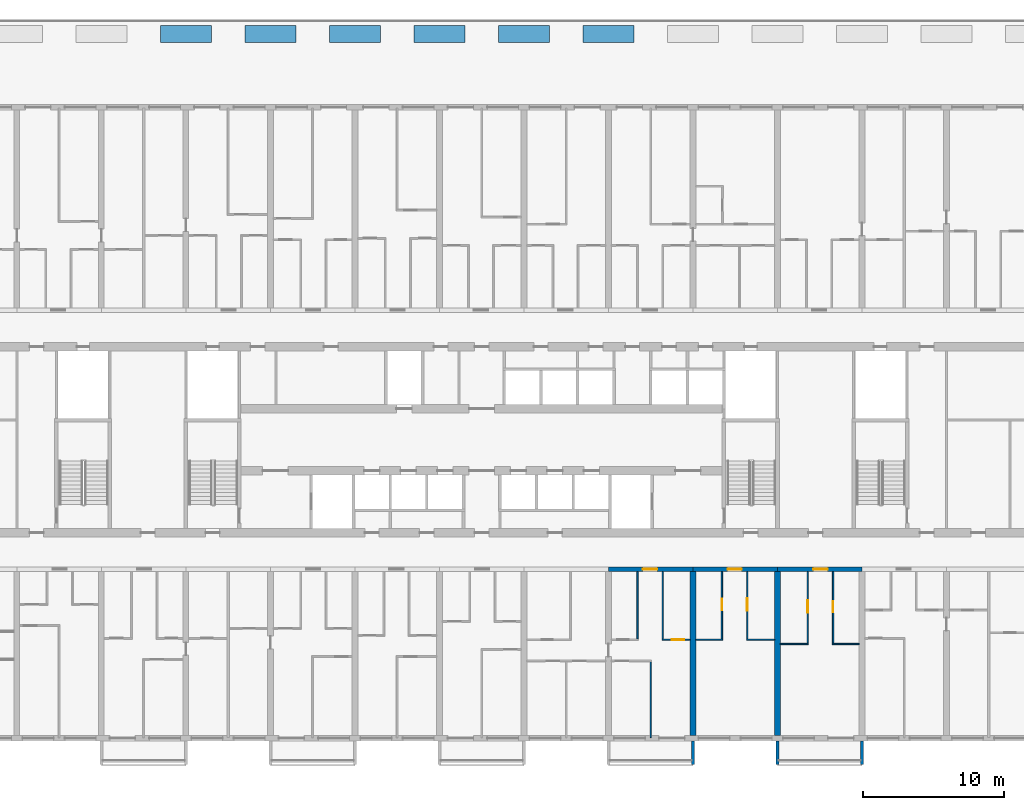
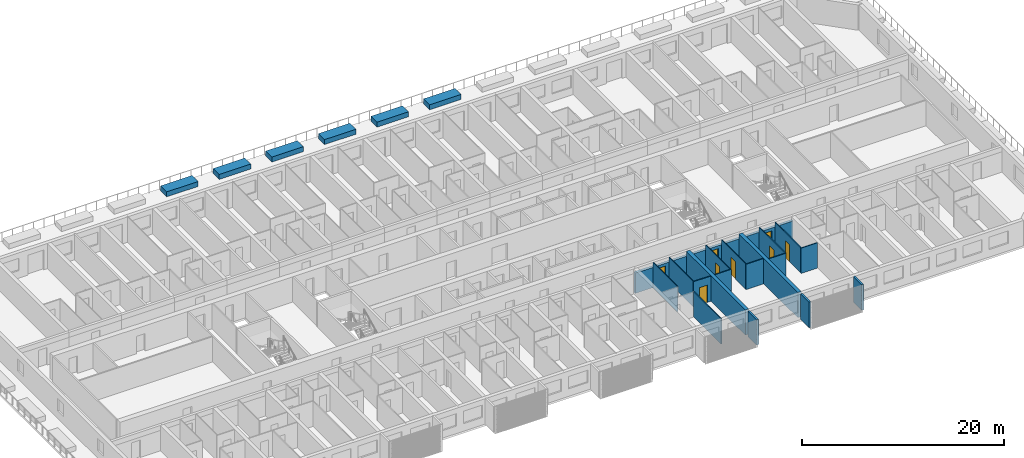
# One storey, part 15 of 23: 26 walls, 8 doors, 8 openings.
"""IFC4 building model written with IfcOpenShell, lengths in metres."""

from ifc_helpers import new_model, si_unit, direction, frame, frame_2d, origin, place, context, subcontext, project, spatial, polyline, rectangle, outline, extrude, source, transform, mapped, material, layer, layer_set, type_object, element, fill, save


model = new_model("IFC4")

# Units and contexts
model_context = context("Model", 3, precision=1e-05, world=origin(), true_north=direction((0.0, 1.0)))
body_context = subcontext(model_context, "Body", "Model", "MODEL_VIEW")
ifc_project = project(units=[si_unit("LENGTHUNIT", "METRE"), si_unit("AREAUNIT", "SQUARE_METRE"), si_unit("VOLUMEUNIT", "CUBIC_METRE"), si_unit("PLANEANGLEUNIT", "RADIAN"), si_unit("MASSUNIT", "GRAM", prefix="KILO")], contexts=[model_context])

# Site, building, storey
site_placement = place(None, origin())
site = spatial("IfcSite", under=ifc_project, at=site_placement, CompositionType="ELEMENT")
building_placement = place(site_placement, origin())
building = spatial("IfcBuilding", under=site, at=building_placement, Name="Poui Terraces", CompositionType="ELEMENT")
storey_placement = place(building_placement, frame((0.0, 0.0, 23.39990234375)))
storey = spatial("IfcBuildingStorey", under=building, at=storey_placement, Name="L05", CompositionType="ELEMENT", Elevation=23.39990234375)

# Wall, opening, door
ifc_material_1 = material(Name="Concrete 80 MPa", Category="concrete")
ifc_layer_1 = layer(ifc_material_1, 0.300048828125)
ifc_layer_set_1 = layer_set([ifc_layer_1], Name="Concrete 80 MPa")
wall_type_1 = type_object("IfcWallType", Name="CORRIDOR WALL 300 80MPa", PredefinedType="SHEAR", material=ifc_layer_set_1)
wall_1_placement = place(storey_placement, frame((60.0, 12.0, 0.0), z_axis=(0.0, 0.0, 1.0), x_axis=(1.0, 0.0, 0.0)))
wall_1 = element("IfcWall", 1, at=wall_1_placement, inside=storey, type_object=wall_type_1, Name="CORRIDOR WALL LINE B BAY 11", PredefinedType="SHEAR", context=body_context, shape_type="SweptSolid", body=[
    extrude(rectangle(XDim=6.0, YDim=0.300048828125, at=frame_2d((3.0, 0.0))), origin(), (0.0, 0.0, 1.0), 2.4501953125),
])
opening_1_placement = place(wall_1_placement, frame((2.449951171875, 0.0, 0.0)))
opening_1 = element("IfcOpeningElement", 2, at=opening_1_placement, cuts=wall_1, Name="Opening FD30S", PredefinedType="OPENING", context=body_context, shape_type="SweptSolid", body=[
    extrude(rectangle(XDim=1.0, YDim=2.10009765625, at=frame_2d((0.5, 1.050048828125))), frame((0.0, 0.16015625, 0.0), z_axis=(0.0, -1.0, 0.0), x_axis=(1.0, 0.0, 0.0)), (0.0, 0.0, 1.0), 0.320068359375),
])
ifc_material_2 = material(Name="Steel fire door", Category="steel")
door_type_1 = type_object("IfcDoorType", Name="FLAT ENTRANCE DOOR 1000 X 2100", OperationType="NOTDEFINED", PredefinedType="DOOR", material=ifc_material_2)
door_1_placement = place(opening_1_placement, frame((1.0, 0.0, 0.0), z_axis=(0.0, 0.0, 1.0), x_axis=(-1.0, 0.0, 0.0)))
door_1 = element("IfcDoor", 3, at=door_1_placement, inside=storey, type_object=door_type_1, Name="FLAT ENTRANCE DOOR 131", OperationType="SINGLE_SWING_RIGHT", OverallHeight=2.10009765625, OverallWidth=1.0, PredefinedType="DOOR", context=body_context, shape_type="SweptSolid", body=[
    extrude(rectangle(XDim=1.0, YDim=2.10009765625, at=frame_2d((0.5, 1.050048828125))), frame((0.0, 0.02490234375, 0.0), z_axis=(0.0, -1.0, 0.0), x_axis=(1.0, 0.0, 0.0)), (0.0, 0.0, 1.0), 0.050048828125),
])
fill(opening_1, door_1)

wall_2_placement = place(storey_placement, frame((66.0, 12.0, 0.0), z_axis=(0.0, 0.0, 1.0), x_axis=(1.0, 0.0, 0.0)))
wall_2 = element("IfcWall", 4, at=wall_2_placement, inside=storey, type_object=wall_type_1, Name="CORRIDOR WALL LINE B BAY 12", PredefinedType="SHEAR", context=body_context, shape_type="SweptSolid", body=[
    extrude(rectangle(XDim=6.0, YDim=0.300048828125, at=frame_2d((3.0, 0.0))), origin(), (0.0, 0.0, 1.0), 2.4501953125),
])
opening_2_placement = place(wall_2_placement, frame((2.449951171875, 0.0, 0.0)))
opening_2 = element("IfcOpeningElement", 5, at=opening_2_placement, cuts=wall_2, Name="Opening FD30S", PredefinedType="OPENING", context=body_context, shape_type="SweptSolid", body=[
    extrude(rectangle(XDim=1.0, YDim=2.10009765625, at=frame_2d((0.5, 1.050048828125))), frame((0.0, 0.16015625, 0.0), z_axis=(0.0, -1.0, 0.0), x_axis=(1.0, 0.0, 0.0)), (0.0, 0.0, 1.0), 0.320068359375),
])
door_2_placement = place(opening_2_placement, frame((1.0, 0.0, 0.0), z_axis=(0.0, 0.0, 1.0), x_axis=(-1.0, 0.0, 0.0)))
door_2 = element("IfcDoor", 6, at=door_2_placement, inside=storey, type_object=door_type_1, Name="FLAT ENTRANCE DOOR 134", OperationType="SINGLE_SWING_RIGHT", OverallHeight=2.10009765625, OverallWidth=1.0, PredefinedType="DOOR", context=body_context, shape_type="SweptSolid", body=[
    extrude(rectangle(XDim=1.0, YDim=2.10009765625, at=frame_2d((0.5, 1.050048828125))), frame((0.0, 0.02490234375, 0.0), z_axis=(0.0, -1.0, 0.0), x_axis=(1.0, 0.0, 0.0)), (0.0, 0.0, 1.0), 0.050048828125),
])
fill(opening_2, door_2)

wall_3_placement = place(storey_placement, frame((72.0, 12.0, 0.0), z_axis=(0.0, 0.0, 1.0), x_axis=(1.0, 0.0, 0.0)))
wall_3 = element("IfcWall", 7, at=wall_3_placement, inside=storey, type_object=wall_type_1, Name="CORRIDOR WALL LINE B BAY 13", PredefinedType="SHEAR", context=body_context, shape_type="SweptSolid", body=[
    extrude(rectangle(XDim=6.0, YDim=0.300048828125, at=frame_2d((3.0, 0.0))), origin(), (0.0, 0.0, 1.0), 2.4501953125),
])
opening_3_placement = place(wall_3_placement, frame((2.550048828125, 0.0, 0.0)))
opening_3 = element("IfcOpeningElement", 8, at=opening_3_placement, cuts=wall_3, Name="Opening FD30S", PredefinedType="OPENING", context=body_context, shape_type="SweptSolid", body=[
    extrude(rectangle(XDim=1.0, YDim=2.10009765625, at=frame_2d((0.5, 1.050048828125))), frame((0.0, 0.16015625, 0.0), z_axis=(0.0, -1.0, 0.0), x_axis=(1.0, 0.0, 0.0)), (0.0, 0.0, 1.0), 0.320068359375),
])
door_3_placement = place(opening_3_placement, frame((1.0, 0.0, 0.0), z_axis=(0.0, 0.0, 1.0), x_axis=(-1.0, 0.0, 0.0)))
door_3 = element("IfcDoor", 9, at=door_3_placement, inside=storey, type_object=door_type_1, Name="FLAT ENTRANCE DOOR 137", OperationType="SINGLE_SWING_LEFT", OverallHeight=2.10009765625, OverallWidth=1.0, PredefinedType="DOOR", context=body_context, shape_type="SweptSolid", body=[
    extrude(rectangle(XDim=1.0, YDim=2.10009765625, at=frame_2d((0.5, 1.050048828125))), frame((0.0, 0.02490234375, 0.0), z_axis=(0.0, -1.0, 0.0), x_axis=(1.0, 0.0, 0.0)), (0.0, 0.0, 1.0), 0.050048828125),
])
fill(opening_3, door_3)

# Walls
ifc_layer_2 = layer(ifc_material_1, 0.39990234375)
ifc_layer_set_2 = layer_set([ifc_layer_2], Name="Concrete 80 MPa")
wall_type_2 = type_object("IfcWallType", Name="CROSS WALL 400 80MPa", PredefinedType="SHEAR", material=ifc_layer_set_2)
for number, where, z_axis, x_axis, name in (
    (10, (66.0, 0.199951171875, 0.0), (0.0, 0.0, 1.0), (0.0, 1.0, 0.0), "CROSS WALL LINE 12 SOUTH"),
    (11, (72.0, 0.199951171875, 0.0), (0.0, 0.0, 1.0), (0.0, 1.0, 0.0), "CROSS WALL LINE 13 SOUTH"),
):
    element("IfcWall", number, at=place(storey_placement, frame(where, z_axis=z_axis, x_axis=x_axis)), inside=storey, type_object=wall_type_2, Name=name, PredefinedType="SHEAR", context=body_context, shape_type="SweptSolid", body=[
        extrude(rectangle(XDim=11.650146484375, YDim=0.39990234375, at=frame_2d((5.8251953125, 0.0))), origin(), (0.0, 0.0, 1.0), 3.050048828125),
    ])
ifc_material_3 = material(Name="Plasterboard partition")
ifc_layer_3 = layer(ifc_material_3, 0.10009765625)
ifc_layer_set_3 = layer_set([ifc_layer_3], Name="Plasterboard partition")
wall_type_3 = type_object("IfcWallType", Name="FLAT PARTITION 100", PredefinedType="PARTITIONING", material=ifc_layer_set_3)
wall_4_placement = place(storey_placement, frame((72.2099609375, 6.699951171875, 0.0), z_axis=(0.0, 0.0, 1.0), x_axis=(1.0, 0.0, 0.0)))
element("IfcWall", 12, at=wall_4_placement, inside=storey, type_object=wall_type_3, Name="FLAT PARTITION 100", PredefinedType="PARTITIONING", context=body_context, shape_type="SweptSolid", body=[
    extrude(rectangle(XDim=1.989990234375, YDim=0.10009765625, at=frame_2d((0.9951171875, 0.0))), origin(), (0.0, 0.0, 1.0), 3.050048828125),
])
wall_5_placement = place(storey_placement, frame((75.89990234375, 6.699951171875, 0.0), z_axis=(0.0, 0.0, 1.0), x_axis=(1.0, 0.0, 0.0)))
element("IfcWall", 13, at=wall_5_placement, inside=storey, type_object=wall_type_3, Name="FLAT PARTITION 100", PredefinedType="PARTITIONING", context=body_context, shape_type="SweptSolid", body=[
    extrude(rectangle(XDim=1.89013671875, YDim=0.10009765625, at=frame_2d((0.945068359375, 0.0))), origin(), (0.0, 0.0, 1.0), 3.050048828125),
])

# Wall, opening, door
wall_6_placement = place(storey_placement, frame((63.800048828125, 7.0, 0.0), z_axis=(0.0, 0.0, 1.0), x_axis=(1.0, 0.0, 0.0)))
wall_6 = element("IfcWall", 14, at=wall_6_placement, inside=storey, type_object=wall_type_3, Name="FLAT PARTITION 100", PredefinedType="PARTITIONING", context=body_context, shape_type="SweptSolid", body=[
    extrude(rectangle(XDim=1.989990234375, YDim=0.10009765625, at=frame_2d((0.9951171875, 0.0))), origin(), (0.0, 0.0, 1.0), 3.050048828125),
])
opening_4_placement = place(wall_6_placement, frame((0.675048828125, 0.0, 0.0)))
opening_4 = element("IfcOpeningElement", 15, at=opening_4_placement, cuts=wall_6, Name="Opening D90", PredefinedType="OPENING", context=body_context, shape_type="SweptSolid", body=[
    extrude(rectangle(XDim=0.89990234375, YDim=2.10009765625, at=frame_2d((0.449951171875, 1.050048828125))), frame((0.0, 0.06005859375, 0.0), z_axis=(0.0, -1.0, 0.0), x_axis=(1.0, 0.0, 0.0)), (0.0, 0.0, 1.0), 0.1201171875),
])
ifc_material_4 = material(Name="Solid core timber door", Category="wood")
door_type_2 = type_object("IfcDoorType", Name="INTERNAL DOOR 900 X 2100", OperationType="NOTDEFINED", PredefinedType="DOOR", material=ifc_material_4)
door_4_placement = place(opening_4_placement, origin())
door_4 = element("IfcDoor", 16, at=door_4_placement, inside=storey, type_object=door_type_2, Name="INTERNAL DOOR 132", OperationType="SINGLE_SWING_RIGHT", OverallHeight=2.10009765625, OverallWidth=0.89990234375, PredefinedType="DOOR", context=body_context, shape_type="SweptSolid", body=[
    extrude(rectangle(XDim=0.89990234375, YDim=2.10009765625, at=frame_2d((0.449951171875, 1.050048828125))), frame((0.0, 0.02490234375, 0.0), z_axis=(0.0, -1.0, 0.0), x_axis=(1.0, 0.0, 0.0)), (0.0, 0.0, 1.0), 0.050048828125),
])
fill(opening_4, door_4)

# Walls
wall_7_placement = place(storey_placement, frame((66.2099609375, 7.0, 0.0), z_axis=(0.0, 0.0, 1.0), x_axis=(1.0, 0.0, 0.0)))
element("IfcWall", 17, at=wall_7_placement, inside=storey, type_object=wall_type_3, Name="FLAT PARTITION 100", PredefinedType="PARTITIONING", context=body_context, shape_type="SweptSolid", body=[
    extrude(rectangle(XDim=1.89013671875, YDim=0.10009765625, at=frame_2d((0.945068359375, 0.0))), origin(), (0.0, 0.0, 1.0), 3.050048828125),
])
wall_8_placement = place(storey_placement, frame((69.800048828125, 7.0, 0.0), z_axis=(0.0, 0.0, 1.0), x_axis=(1.0, 0.0, 0.0)))
element("IfcWall", 18, at=wall_8_placement, inside=storey, type_object=wall_type_3, Name="FLAT PARTITION 100", PredefinedType="PARTITIONING", context=body_context, shape_type="SweptSolid", body=[
    extrude(rectangle(XDim=1.989990234375, YDim=0.10009765625, at=frame_2d((0.9951171875, 0.0))), origin(), (0.0, 0.0, 1.0), 3.050048828125),
])
wall_9_placement = place(storey_placement, frame((62.050048828125, 7.050048828125, 0.0), z_axis=(0.0, 0.0, 1.0), x_axis=(0.0, 1.0, 0.0)))
element("IfcWall", 19, at=wall_9_placement, inside=storey, type_object=wall_type_3, Name="FLAT PARTITION 100", PredefinedType="PARTITIONING", context=body_context, shape_type="SweptSolid", body=[
    extrude(rectangle(XDim=4.7900390625, YDim=0.10009765625, at=frame_2d((2.39501953125, 0.0))), origin(), (0.0, 0.0, 1.0), 3.050048828125),
])
wall_10_placement = place(storey_placement, frame((63.0, 0.06005859375, 0.0), z_axis=(0.0, 0.0, 1.0), x_axis=(0.0, 1.0, 0.0)))
element("IfcWall", 20, at=wall_10_placement, inside=storey, type_object=wall_type_3, Name="FLAT PARTITION 100", PredefinedType="PARTITIONING", context=body_context, shape_type="SweptSolid", body=[
    extrude(rectangle(XDim=5.389892578125, YDim=0.10009765625, at=frame_2d((2.69482421875, 0.0))), origin(), (0.0, 0.0, 1.0), 3.050048828125),
])
wall_11_placement = place(storey_placement, frame((63.85009765625, 7.050048828125, 0.0), z_axis=(0.0, 0.0, 1.0), x_axis=(0.0, 1.0, 0.0)))
element("IfcWall", 21, at=wall_11_placement, inside=storey, type_object=wall_type_3, Name="FLAT PARTITION 100", PredefinedType="PARTITIONING", context=body_context, shape_type="SweptSolid", body=[
    extrude(rectangle(XDim=4.7900390625, YDim=0.10009765625, at=frame_2d((2.39501953125, 0.0))), origin(), (0.0, 0.0, 1.0), 3.050048828125),
])

# Wall, opening, door
wall_12_placement = place(storey_placement, frame((68.050048828125, 7.050048828125, 0.0), z_axis=(0.0, 0.0, 1.0), x_axis=(0.0, 1.0, 0.0)))
wall_12 = element("IfcWall", 22, at=wall_12_placement, inside=storey, type_object=wall_type_3, Name="FLAT PARTITION 100", PredefinedType="PARTITIONING", context=body_context, shape_type="SweptSolid", body=[
    extrude(rectangle(XDim=4.7900390625, YDim=0.10009765625, at=frame_2d((2.39501953125, 0.0))), origin(), (0.0, 0.0, 1.0), 3.050048828125),
])
opening_5_placement = place(wall_12_placement, frame((2.050048828125, 0.0, 0.0)))
opening_5 = element("IfcOpeningElement", 23, at=opening_5_placement, cuts=wall_12, Name="Opening D80", PredefinedType="OPENING", context=body_context, shape_type="SweptSolid", body=[
    extrude(rectangle(XDim=0.800048828125, YDim=2.10009765625, at=frame_2d((0.39990234375, 1.050048828125))), frame((0.0, 0.06005859375, 0.0), z_axis=(0.0, -1.0, 0.0), x_axis=(1.0, 0.0, 0.0)), (0.0, 0.0, 1.0), 0.1201171875),
])
door_type_3 = type_object("IfcDoorType", Name="BATHROOM, LAUNDRY AND STORE DOOR 800 X 2100", OperationType="NOTDEFINED", PredefinedType="DOOR", material=ifc_material_4)
door_5_placement = place(opening_5_placement, origin())
door_5 = element("IfcDoor", 24, at=door_5_placement, inside=storey, type_object=door_type_3, Name="BATHROOM, LAUNDRY AND STORE DOOR 133", OperationType="SINGLE_SWING_RIGHT", OverallHeight=2.10009765625, OverallWidth=0.800048828125, PredefinedType="DOOR", context=body_context, shape_type="SweptSolid", body=[
    extrude(rectangle(XDim=0.800048828125, YDim=2.10009765625, at=frame_2d((0.39990234375, 1.050048828125))), frame((0.0, 0.02490234375, 0.0), z_axis=(0.0, -1.0, 0.0), x_axis=(1.0, 0.0, 0.0)), (0.0, 0.0, 1.0), 0.050048828125),
])
fill(opening_5, door_5)

wall_13_placement = place(storey_placement, frame((69.85009765625, 7.050048828125, 0.0), z_axis=(0.0, 0.0, 1.0), x_axis=(0.0, 1.0, 0.0)))
wall_13 = element("IfcWall", 25, at=wall_13_placement, inside=storey, type_object=wall_type_3, Name="FLAT PARTITION 100", PredefinedType="PARTITIONING", context=body_context, shape_type="SweptSolid", body=[
    extrude(rectangle(XDim=4.7900390625, YDim=0.10009765625, at=frame_2d((2.39501953125, 0.0))), origin(), (0.0, 0.0, 1.0), 3.050048828125),
])
opening_6_placement = place(wall_13_placement, frame((2.0, 0.0, 0.0)))
opening_6 = element("IfcOpeningElement", 26, at=opening_6_placement, cuts=wall_13, Name="Opening D90", PredefinedType="OPENING", context=body_context, shape_type="SweptSolid", body=[
    extrude(rectangle(XDim=0.89990234375, YDim=2.10009765625, at=frame_2d((0.449951171875, 1.050048828125))), frame((0.0, 0.06005859375, 0.0), z_axis=(0.0, -1.0, 0.0), x_axis=(1.0, 0.0, 0.0)), (0.0, 0.0, 1.0), 0.1201171875),
])
door_6_placement = place(opening_6_placement, frame((0.89990234375, 0.0, 0.0), z_axis=(0.0, 0.0, 1.0), x_axis=(-1.0, 0.0, 0.0)))
door_6 = element("IfcDoor", 27, at=door_6_placement, inside=storey, type_object=door_type_2, Name="INTERNAL DOOR 135", OperationType="SINGLE_SWING_RIGHT", OverallHeight=2.10009765625, OverallWidth=0.89990234375, PredefinedType="DOOR", context=body_context, shape_type="SweptSolid", body=[
    extrude(rectangle(XDim=0.89990234375, YDim=2.10009765625, at=frame_2d((0.449951171875, 1.050048828125))), frame((0.0, 0.02490234375, 0.0), z_axis=(0.0, -1.0, 0.0), x_axis=(1.0, 0.0, 0.0)), (0.0, 0.0, 1.0), 0.050048828125),
])
fill(opening_6, door_6)

wall_14_placement = place(storey_placement, frame((74.14990234375, 6.75, 0.0), z_axis=(0.0, 0.0, 1.0), x_axis=(0.0, 1.0, 0.0)))
wall_14 = element("IfcWall", 28, at=wall_14_placement, inside=storey, type_object=wall_type_3, Name="FLAT PARTITION 100", PredefinedType="PARTITIONING", context=body_context, shape_type="SweptSolid", body=[
    extrude(rectangle(XDim=5.090087890625, YDim=0.10009765625, at=frame_2d((2.544921875, 0.0))), origin(), (0.0, 0.0, 1.0), 3.050048828125),
])
opening_7_placement = place(wall_14_placement, frame((2.14990234375, 0.0, 0.0)))
opening_7 = element("IfcOpeningElement", 29, at=opening_7_placement, cuts=wall_14, Name="Opening D90", PredefinedType="OPENING", context=body_context, shape_type="SweptSolid", body=[
    extrude(rectangle(XDim=0.89990234375, YDim=2.10009765625, at=frame_2d((0.449951171875, 1.050048828125))), frame((0.0, 0.06005859375, 0.0), z_axis=(0.0, -1.0, 0.0), x_axis=(1.0, 0.0, 0.0)), (0.0, 0.0, 1.0), 0.1201171875),
])
door_7_placement = place(opening_7_placement, origin())
door_7 = element("IfcDoor", 30, at=door_7_placement, inside=storey, type_object=door_type_2, Name="INTERNAL DOOR 136", OperationType="SINGLE_SWING_LEFT", OverallHeight=2.10009765625, OverallWidth=0.89990234375, PredefinedType="DOOR", context=body_context, shape_type="SweptSolid", body=[
    extrude(rectangle(XDim=0.89990234375, YDim=2.10009765625, at=frame_2d((0.449951171875, 1.050048828125))), frame((0.0, 0.02490234375, 0.0), z_axis=(0.0, -1.0, 0.0), x_axis=(1.0, 0.0, 0.0)), (0.0, 0.0, 1.0), 0.050048828125),
])
fill(opening_7, door_7)

wall_15_placement = place(storey_placement, frame((75.949951171875, 6.75, 0.0), z_axis=(0.0, 0.0, 1.0), x_axis=(0.0, 1.0, 0.0)))
wall_15 = element("IfcWall", 31, at=wall_15_placement, inside=storey, type_object=wall_type_3, Name="FLAT PARTITION 100", PredefinedType="PARTITIONING", context=body_context, shape_type="SweptSolid", body=[
    extrude(rectangle(XDim=5.090087890625, YDim=0.10009765625, at=frame_2d((2.544921875, 0.0))), origin(), (0.0, 0.0, 1.0), 3.050048828125),
])
opening_8_placement = place(wall_15_placement, frame((2.199951171875, 0.0, 0.0)))
opening_8 = element("IfcOpeningElement", 32, at=opening_8_placement, cuts=wall_15, Name="Opening D80", PredefinedType="OPENING", context=body_context, shape_type="SweptSolid", body=[
    extrude(rectangle(XDim=0.800048828125, YDim=2.10009765625, at=frame_2d((0.39990234375, 1.050048828125))), frame((0.0, 0.06005859375, 0.0), z_axis=(0.0, -1.0, 0.0), x_axis=(1.0, 0.0, 0.0)), (0.0, 0.0, 1.0), 0.1201171875),
])
door_8_placement = place(opening_8_placement, frame((0.800048828125, 0.0, 0.0), z_axis=(0.0, 0.0, 1.0), x_axis=(-1.0, 0.0, 0.0)))
door_8 = element("IfcDoor", 33, at=door_8_placement, inside=storey, type_object=door_type_3, Name="BATHROOM, LAUNDRY AND STORE DOOR 138", OperationType="SINGLE_SWING_LEFT", OverallHeight=2.10009765625, OverallWidth=0.800048828125, PredefinedType="DOOR", context=body_context, shape_type="SweptSolid", body=[
    extrude(rectangle(XDim=0.800048828125, YDim=2.10009765625, at=frame_2d((0.39990234375, 1.050048828125))), frame((0.0, 0.02490234375, 0.0), z_axis=(0.0, -1.0, 0.0), x_axis=(1.0, 0.0, 0.0)), (0.0, 0.0, 1.0), 0.050048828125),
])
fill(opening_8, door_8)

# Walls
ifc_material_5 = material(Name="Precast concrete 40 MPa", Category="concrete")
ifc_layer_4 = layer(ifc_material_5, 1.199951171875)
ifc_layer_set_4 = layer_set([ifc_layer_4], Name="Precast concrete 40 MPa")
wall_type_4 = type_object("IfcWallType", Name="PLANTER 600", PredefinedType="USERDEFINED", material=ifc_layer_set_4)
shared_shape_1 = source(origin(), body_context, "Body", "SweptSolid", [
    extrude(outline(polyline([(0.0, 0.0), (3.60009765625, 0.0), (3.60009765625, 1.2001953125), (0.0, 1.2001953125), (0.0, 0.0)])), origin(), (0.0, 0.0, 1.0), 0.60009765625),
])
for number, where, name in (
    (34, (28.199951171875, 49.419921875, 0.0), "PLANTER"),
    (35, (34.199951171875, 49.419921875, 0.0), "PLANTER"),
    (36, (40.199951171875, 49.419921875, 0.0), "PLANTER"),
    (37, (46.199951171875, 49.419921875, 0.0), "PLANTER"),
    (38, (52.199951171875, 49.419921875, 0.0), "PLANTER"),
    (39, (58.199951171875, 49.419921875, 0.0), "PLANTER"),
):
    element("IfcWall", number, at=place(storey_placement, frame(where)), inside=storey, type_object=wall_type_4, Name=name, ObjectType="PLANTER", PredefinedType="USERDEFINED", context=body_context, shape_type="MappedRepresentation", body=[
        mapped(shared_shape_1, transform((0.0, 0.0, 0.0))),
    ])
ifc_layer_5 = layer(ifc_material_5, 0.199951171875)
ifc_layer_set_5 = layer_set([ifc_layer_5], Name="Precast concrete 40 MPa")
wall_type_5 = type_object("IfcWallType", Name="REAR FIN 200", PredefinedType="STANDARD", material=ifc_layer_set_5)
shared_shape_2 = source(origin(), body_context, "Body", "SweptSolid", [
    extrude(outline(polyline([(0.0, 0.0), (0.2001953125, 0.0), (0.2001953125, 1.650146484375), (0.0, 1.650146484375), (0.0, 0.0)])), origin(), (0.0, 0.0, 1.0), 3.10009765625),
])
for number, where, name in (
    (40, (65.89990234375, -1.85009765625, 0.0), "REAR FIN"),
    (41, (71.89990234375, -1.85009765625, 0.0), "REAR FIN"),
    (42, (77.89990234375, -1.85009765625, 0.0), "REAR FIN"),
):
    element("IfcWall", number, at=place(storey_placement, frame(where)), inside=storey, type_object=wall_type_5, Name=name, PredefinedType="STANDARD", context=body_context, shape_type="MappedRepresentation", body=[
        mapped(shared_shape_2, transform((0.0, 0.0, 0.0))),
    ])

save(model, "model.ifc")
